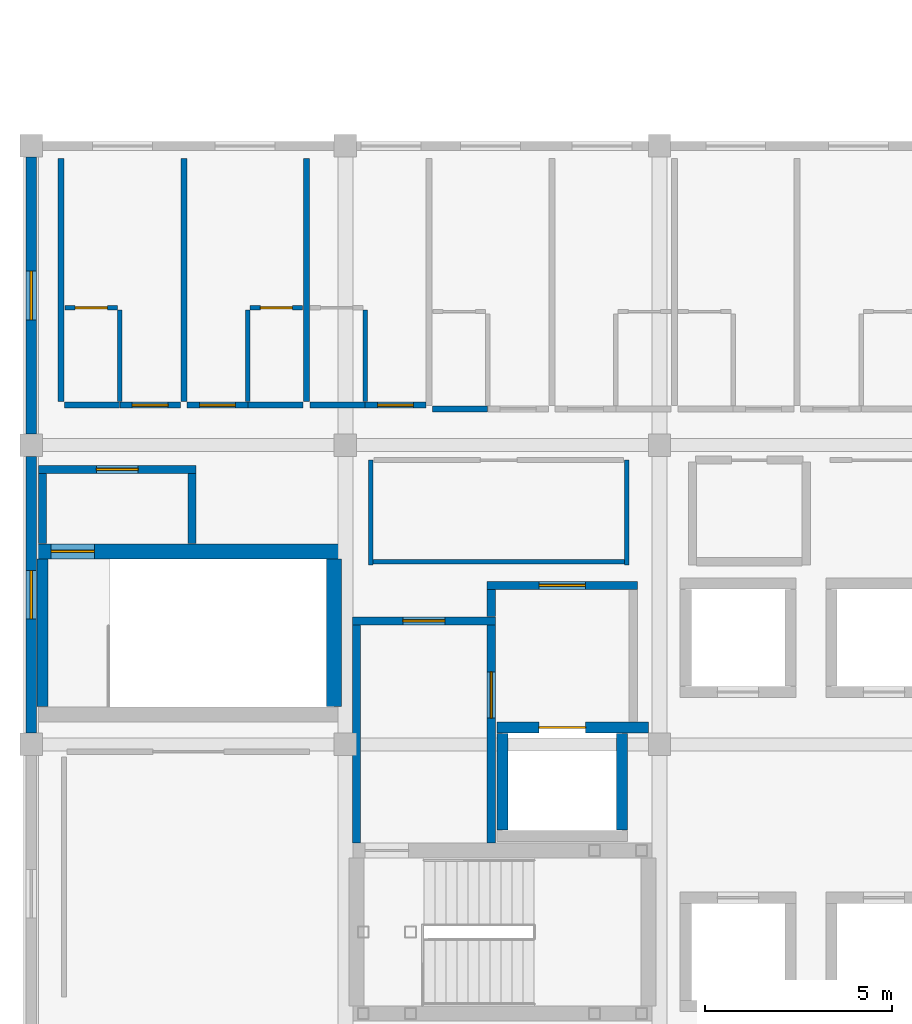
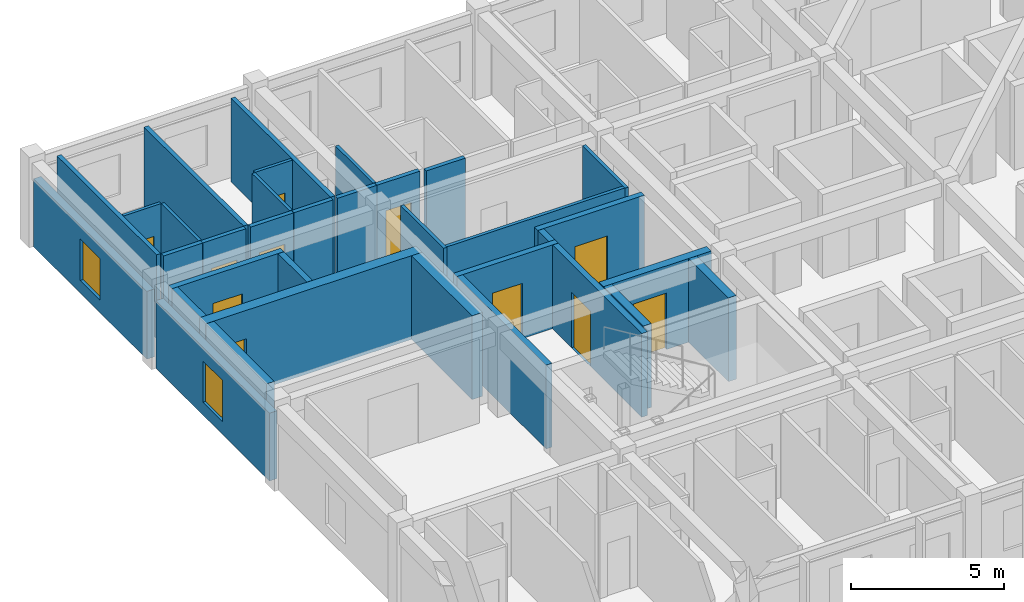
# One storey, part 6 of 14: 34 walls, 11 doors, 2 windows, 13 openings.
"""IFC4 building model written with IfcOpenShell, lengths in metres."""

from ifc_helpers import new_model, si_unit, direction, frame, frame_2d, origin, place, context, subcontext, project, spatial, rectangle, extrude, material, layer, layer_set, type_object, element, fill, save


model = new_model("IFC4")

# Units and contexts
model_context = context("Model", 3, precision=1e-05, world=origin(), true_north=direction((0.0, 1.0)))
body_context = subcontext(model_context, "Body", "Model", "MODEL_VIEW")
ifc_project = project(units=[si_unit("LENGTHUNIT", "METRE"), si_unit("AREAUNIT", "SQUARE_METRE"), si_unit("VOLUMEUNIT", "CUBIC_METRE"), si_unit("PLANEANGLEUNIT", "RADIAN"), si_unit("MASSUNIT", "GRAM", prefix="KILO")], contexts=[model_context])

# Site, building, storey
site_placement = place(None, origin())
site = spatial("IfcSite", under=ifc_project, at=site_placement, CompositionType="ELEMENT")
building_placement = place(site_placement, origin())
building = spatial("IfcBuilding", under=site, at=building_placement, Name="Naruveol Harbour Congress Hotel", CompositionType="ELEMENT")
storey_placement = place(building_placement, frame((0.0, 0.0, 39.60009765625)))
storey = spatial("IfcBuildingStorey", under=building, at=storey_placement, Name="L09", CompositionType="ELEMENT", Elevation=39.60009765625)

# Wall, opening, window
ifc_material_1 = material(Name="Precast concrete C40/50", Category="concrete")
ifc_layer_1 = layer(ifc_material_1, 0.280029296875)
ifc_layer_set_1 = layer_set([ifc_layer_1], Name="Precast concrete C40/50")
wall_type_1 = type_object("IfcWallType", Name="ARCHITECTURAL PRECAST FACADE WALL 280", PredefinedType="SOLIDWALL", material=ifc_layer_set_1)
wall_1_placement = place(storey_placement, frame((117.60009765625, 16.300048828125, 0.0), z_axis=(0.0, 0.0, 1.0), x_axis=(0.0, 1.0, 0.0)))
wall_1 = element("IfcWall", 1, at=wall_1_placement, inside=storey, type_object=wall_type_1, Name="Hotel west gable wall L09 EW-280", PredefinedType="SOLIDWALL", context=body_context, shape_type="SweptSolid", body=[
    extrude(rectangle(XDim=7.39990234375, YDim=0.280029296875, at=frame_2d((3.699951171875, 0.0))), origin(), (0.0, 0.0, 1.0), 2.699951171875),
])
opening_1_placement = place(wall_1_placement, frame((3.050048828125, 0.0, 0.5)))
opening_1 = element("IfcOpeningElement", 2, at=opening_1_placement, cuts=wall_1, Name="Opening W-27", PredefinedType="OPENING", context=body_context, shape_type="SweptSolid", body=[
    extrude(rectangle(XDim=1.300048828125, YDim=1.64990234375, at=frame_2d((0.64990234375, 0.824951171875))), frame((0.0, 0.14990234375, 0.0), z_axis=(0.0, -1.0, 0.0), x_axis=(1.0, 0.0, 0.0)), (0.0, 0.0, 1.0), 0.300048828125),
])
ifc_material_2 = material(Name="Low-E Triple Glazing in Thermal Aluminium", Category="aluminium")
window_type = type_object("IfcWindowType", Name="READING SALON TALL WINDOW 1300X1650", PartitioningType="SINGLE_PANEL", PredefinedType="WINDOW", material=ifc_material_2)
window_1_placement = place(opening_1_placement, origin())
window_1 = element("IfcWindow", 3, at=window_1_placement, inside=storey, type_object=window_type, Name="Window W-27 #477", OverallHeight=1.64990234375, OverallWidth=1.300048828125, PartitioningType="SINGLE_PANEL", PredefinedType="WINDOW", context=body_context, shape_type="SweptSolid", body=[
    extrude(rectangle(XDim=1.300048828125, YDim=1.64990234375, at=frame_2d((0.64990234375, 0.824951171875))), frame((0.0, 0.030029296875, 0.0), z_axis=(0.0, -1.0, 0.0), x_axis=(1.0, 0.0, 0.0)), (0.0, 0.0, 1.0), 0.06005859375),
])
fill(opening_1, window_1)

wall_2_placement = place(storey_placement, frame((117.60009765625, 24.300048828125, 0.0), z_axis=(0.0, 0.0, 1.0), x_axis=(0.0, 1.0, 0.0)))
wall_2 = element("IfcWall", 4, at=wall_2_placement, inside=storey, type_object=wall_type_1, Name="Hotel west gable wall L09 EW-280", PredefinedType="SOLIDWALL", context=body_context, shape_type="SweptSolid", body=[
    extrude(rectangle(XDim=7.39990234375, YDim=0.280029296875, at=frame_2d((3.699951171875, 0.0))), origin(), (0.0, 0.0, 1.0), 2.699951171875),
])
opening_2_placement = place(wall_2_placement, frame((3.050048828125, 0.0, 0.5)))
opening_2 = element("IfcOpeningElement", 5, at=opening_2_placement, cuts=wall_2, Name="Opening W-27", PredefinedType="OPENING", context=body_context, shape_type="SweptSolid", body=[
    extrude(rectangle(XDim=1.300048828125, YDim=1.64990234375, at=frame_2d((0.64990234375, 0.824951171875))), frame((0.0, 0.14990234375, 0.0), z_axis=(0.0, -1.0, 0.0), x_axis=(1.0, 0.0, 0.0)), (0.0, 0.0, 1.0), 0.300048828125),
])
window_2_placement = place(opening_2_placement, origin())
window_2 = element("IfcWindow", 6, at=window_2_placement, inside=storey, type_object=window_type, Name="Window W-27 #478", OverallHeight=1.64990234375, OverallWidth=1.300048828125, PartitioningType="SINGLE_PANEL", PredefinedType="WINDOW", context=body_context, shape_type="SweptSolid", body=[
    extrude(rectangle(XDim=1.300048828125, YDim=1.64990234375, at=frame_2d((0.64990234375, 0.824951171875))), frame((0.0, 0.030029296875, 0.0), z_axis=(0.0, -1.0, 0.0), x_axis=(1.0, 0.0, 0.0)), (0.0, 0.0, 1.0), 0.06005859375),
])
fill(opening_2, window_2)

# Wall
ifc_material_3 = material(Name="Moisture-Resistant Gypsum Partition", Category="gypsum")
ifc_layer_2 = layer(ifc_material_3, 0.114990234375)
ifc_layer_set_2 = layer_set([ifc_layer_2], Name="Moisture-Resistant Gypsum Partition")
wall_type_2 = type_object("IfcWallType", Name="BATHROOM MOISTURE PARTITION WALL 115", PredefinedType="PARTITIONING", material=ifc_layer_set_2)
wall_3_placement = place(storey_placement, frame((119.969970703125, 25.159912109375, 0.0), z_axis=(0.0, 0.0, 1.0), x_axis=(0.0, 1.0, 0.0)))
element("IfcWall", 7, at=wall_3_placement, inside=storey, type_object=wall_type_2, Name="Bathroom east wall 1066 PW-115", PredefinedType="PARTITIONING", context=body_context, shape_type="SweptSolid", body=[
    extrude(rectangle(XDim=2.4501953125, YDim=0.114990234375, at=frame_2d((1.22509765625, 0.0))), origin(), (0.0, 0.0, 1.0), 3.3349609375),
])

# Wall, opening, door
wall_4_placement = place(storey_placement, frame((118.5, 27.669921875, 0.0), z_axis=(0.0, 0.0, 1.0), x_axis=(1.0, 0.0, 0.0)))
wall_4 = element("IfcWall", 8, at=wall_4_placement, inside=storey, type_object=wall_type_2, Name="Bathroom north wall 1066 PW-115", PredefinedType="PARTITIONING", context=body_context, shape_type="SweptSolid", body=[
    extrude(rectangle(XDim=1.409912109375, YDim=0.114990234375, at=frame_2d((0.705078125, 0.0))), origin(), (0.0, 0.0, 1.0), 3.3349609375),
])
opening_3_placement = place(wall_4_placement, frame((0.27490234375, 0.0, 0.0)))
opening_3 = element("IfcOpeningElement", 9, at=opening_3_placement, cuts=wall_4, Name="Opening BD-RM1066", PredefinedType="OPENING", context=body_context, shape_type="SweptSolid", body=[
    extrude(rectangle(XDim=0.860107421875, YDim=2.1201171875, at=frame_2d((0.43017578125, 1.06005859375))), frame((0.0, 0.0673828125, 0.0), z_axis=(0.0, -1.0, 0.0), x_axis=(1.0, 0.0, 0.0)), (0.0, 0.0, 1.0), 0.135009765625),
])
ifc_material_4 = material(Name="Timber & Steel Acoustic Leaf", Category="steel")
door_type_1 = type_object("IfcDoorType", Name="GUEST BATHROOM DOOR 860X2120", OperationType="NOTDEFINED", PredefinedType="DOOR", material=ifc_material_4)
door_1_placement = place(opening_3_placement, origin())
door_1 = element("IfcDoor", 10, at=door_1_placement, inside=storey, type_object=door_type_1, Name="Bathroom Door 1066", OperationType="SINGLE_SWING_RIGHT", OverallHeight=2.1201171875, OverallWidth=0.860107421875, PredefinedType="DOOR", context=body_context, shape_type="SweptSolid", body=[
    extrude(rectangle(XDim=0.860107421875, YDim=2.1201171875, at=frame_2d((0.43017578125, 1.06005859375))), frame((0.0, 0.02490234375, 0.0), z_axis=(0.0, -1.0, 0.0), x_axis=(1.0, 0.0, 0.0)), (0.0, 0.0, 1.0), 0.050048828125),
])
fill(opening_3, door_1)

# Wall
wall_5_placement = place(storey_placement, frame((123.389892578125, 25.159912109375, 0.0), z_axis=(0.0, 0.0, 1.0), x_axis=(0.0, 1.0, 0.0)))
element("IfcWall", 11, at=wall_5_placement, inside=storey, type_object=wall_type_2, Name="Bathroom west wall 1067 PW-115", PredefinedType="PARTITIONING", context=body_context, shape_type="SweptSolid", body=[
    extrude(rectangle(XDim=2.4501953125, YDim=0.114990234375, at=frame_2d((1.22509765625, 0.0))), origin(), (0.0, 0.0, 1.0), 3.3349609375),
])

# Wall, opening, door
wall_6_placement = place(storey_placement, frame((123.449951171875, 27.669921875, 0.0), z_axis=(0.0, 0.0, 1.0), x_axis=(1.0, 0.0, 0.0)))
wall_6 = element("IfcWall", 12, at=wall_6_placement, inside=storey, type_object=wall_type_2, Name="Bathroom north wall 1067 PW-115", PredefinedType="PARTITIONING", context=body_context, shape_type="SweptSolid", body=[
    extrude(rectangle(XDim=1.41015625, YDim=0.114990234375, at=frame_2d((0.705078125, 0.0))), origin(), (0.0, 0.0, 1.0), 3.3349609375),
])
opening_4_placement = place(wall_6_placement, frame((0.27490234375, 0.0, 0.0)))
opening_4 = element("IfcOpeningElement", 13, at=opening_4_placement, cuts=wall_6, Name="Opening BD-RM1067", PredefinedType="OPENING", context=body_context, shape_type="SweptSolid", body=[
    extrude(rectangle(XDim=0.860107421875, YDim=2.1201171875, at=frame_2d((0.43017578125, 1.06005859375))), frame((0.0, 0.0673828125, 0.0), z_axis=(0.0, -1.0, 0.0), x_axis=(1.0, 0.0, 0.0)), (0.0, 0.0, 1.0), 0.135009765625),
])
door_2_placement = place(opening_4_placement, origin())
door_2 = element("IfcDoor", 14, at=door_2_placement, inside=storey, type_object=door_type_1, Name="Bathroom Door 1067", OperationType="SINGLE_SWING_RIGHT", OverallHeight=2.1201171875, OverallWidth=0.860107421875, PredefinedType="DOOR", context=body_context, shape_type="SweptSolid", body=[
    extrude(rectangle(XDim=0.860107421875, YDim=2.1201171875, at=frame_2d((0.43017578125, 1.06005859375))), frame((0.0, 0.02490234375, 0.0), z_axis=(0.0, -1.0, 0.0), x_axis=(1.0, 0.0, 0.0)), (0.0, 0.0, 1.0), 0.050048828125),
])
fill(opening_4, door_2)

# Walls
wall_7_placement = place(storey_placement, frame((126.530029296875, 25.159912109375, 0.0), z_axis=(0.0, 0.0, 1.0), x_axis=(0.0, 1.0, 0.0)))
element("IfcWall", 15, at=wall_7_placement, inside=storey, type_object=wall_type_2, Name="Bathroom east wall 1068 PW-115", PredefinedType="PARTITIONING", context=body_context, shape_type="SweptSolid", body=[
    extrude(rectangle(XDim=2.4501953125, YDim=0.114990234375, at=frame_2d((1.22509765625, 0.0))), origin(), (0.0, 0.0, 1.0), 3.3349609375),
])
ifc_material_5 = material(Name="Concrete C40/50", Category="concrete")
ifc_layer_3 = layer(ifc_material_5, 0.219970703125)
ifc_layer_set_3 = layer_set([ifc_layer_3], Name="Concrete C40/50")
wall_type_3 = type_object("IfcWallType", Name="FIRE COMPARTMENT AND LOBBY WALL 220 EI120", PredefinedType="PARTITIONING", material=ifc_layer_set_3)
wall_8_placement = place(storey_placement, frame((126.300048828125, 13.364990234375, 0.0), z_axis=(0.0, 0.0, 1.0), x_axis=(0.0, 1.0, 0.0)))
element("IfcWall", 16, at=wall_8_placement, inside=storey, type_object=wall_type_3, Name="Smoke vestibule ST1 west wall FW-220", PredefinedType="PARTITIONING", context=body_context, shape_type="SweptSolid", body=[
    extrude(rectangle(XDim=5.820068359375, YDim=0.219970703125, at=frame_2d((2.91015625, 0.0))), origin(), (0.0, 0.0, 1.0), 3.3349609375),
])

# Wall, opening, door
wall_9_placement = place(storey_placement, frame((126.18994140625, 19.300048828125, 0.0), z_axis=(0.0, 0.0, 1.0), x_axis=(1.0, 0.0, 0.0)))
wall_9 = element("IfcWall", 17, at=wall_9_placement, inside=storey, type_object=wall_type_3, Name="Smoke vestibule ST1 north wall FW-220", PredefinedType="PARTITIONING", context=body_context, shape_type="SweptSolid", body=[
    extrude(rectangle(XDim=3.820068359375, YDim=0.219970703125, at=frame_2d((1.91015625, 0.0))), origin(), (0.0, 0.0, 1.0), 3.3349609375),
])
opening_5_placement = place(wall_9_placement, frame((1.35009765625, 0.0, 0.0)))
opening_5 = element("IfcOpeningElement", 18, at=opening_5_placement, cuts=wall_9, Name="Opening FD-ST1-V-L09", PredefinedType="OPENING", context=body_context, shape_type="SweptSolid", body=[
    extrude(rectangle(XDim=1.1201171875, YDim=2.199951171875, at=frame_2d((0.56005859375, 1.10009765625))), frame((0.0, 0.119873046875, 0.0), z_axis=(0.0, -1.0, 0.0), x_axis=(1.0, 0.0, 0.0)), (0.0, 0.0, 1.0), 0.239990234375),
])
ifc_material_6 = material(Name="Timber & Steel Acoustic Leaf", Category="steel")
door_type_2 = type_object("IfcDoorType", Name="VESTIBULE SMOKE CONTROL FIRE DOOR 1120X2200", OperationType="NOTDEFINED", PredefinedType="DOOR", material=ifc_material_6)
door_3_placement = place(opening_5_placement, origin())
door_3 = element("IfcDoor", 19, at=door_3_placement, inside=storey, type_object=door_type_2, Name="Smoke Vestibule Entry Door ST1 L09", OperationType="SINGLE_SWING_LEFT", OverallHeight=2.199951171875, OverallWidth=1.1201171875, PredefinedType="DOOR", context=body_context, shape_type="SweptSolid", body=[
    extrude(rectangle(XDim=1.1201171875, YDim=2.199951171875, at=frame_2d((0.56005859375, 1.10009765625))), frame((0.0, 0.02490234375, 0.0), z_axis=(0.0, -1.0, 0.0), x_axis=(1.0, 0.0, 0.0)), (0.0, 0.0, 1.0), 0.050048828125),
])
fill(opening_5, door_3)

wall_10_placement = place(storey_placement, frame((129.89990234375, 13.364990234375, 0.0), z_axis=(0.0, 0.0, 1.0), x_axis=(0.0, 1.0, 0.0)))
wall_10 = element("IfcWall", 20, at=wall_10_placement, inside=storey, type_object=wall_type_3, Name="Smoke vestibule ST1 east wall FW-220", PredefinedType="PARTITIONING", context=body_context, shape_type="SweptSolid", body=[
    extrude(rectangle(XDim=5.820068359375, YDim=0.219970703125, at=frame_2d((2.91015625, 0.0))), origin(), (0.0, 0.0, 1.0), 3.3349609375),
])
opening_6_placement = place(wall_10_placement, frame((3.3349609375, 0.0, 0.0)))
opening_6 = element("IfcOpeningElement", 21, at=opening_6_placement, cuts=wall_10, Name="Opening FD-FFL-ST1-L09", PredefinedType="OPENING", context=body_context, shape_type="SweptSolid", body=[
    extrude(rectangle(XDim=1.239990234375, YDim=2.199951171875, at=frame_2d((0.6201171875, 1.10009765625))), frame((0.0, 0.119873046875, 0.0), z_axis=(0.0, -1.0, 0.0), x_axis=(1.0, 0.0, 0.0)), (0.0, 0.0, 1.0), 0.239990234375),
])
ifc_material_7 = material(Name="Timber & Steel Acoustic Leaf", Category="steel")
door_type_3 = type_object("IfcDoorType", Name="FIREFIGHTING LOBBY FIRE DOOR 1240X2200", OperationType="NOTDEFINED", PredefinedType="DOOR", material=ifc_material_7)
door_4_placement = place(opening_6_placement, origin())
door_4 = element("IfcDoor", 22, at=door_4_placement, inside=storey, type_object=door_type_3, Name="Firefighting Lobby Vestibule Door ST1 L09", OperationType="SINGLE_SWING_RIGHT", OverallHeight=2.199951171875, OverallWidth=1.239990234375, PredefinedType="DOOR", context=body_context, shape_type="SweptSolid", body=[
    extrude(rectangle(XDim=1.239990234375, YDim=2.199951171875, at=frame_2d((0.6201171875, 1.10009765625))), frame((0.0, 0.02490234375, 0.0), z_axis=(0.0, -1.0, 0.0), x_axis=(1.0, 0.0, 0.0)), (0.0, 0.0, 1.0), 0.050048828125),
])
fill(opening_6, door_4)

# Wall
wall_11_placement = place(storey_placement, frame((129.89990234375, 19.4150390625, 0.0), z_axis=(0.0, 0.0, 1.0), x_axis=(0.0, 1.0, 0.0)))
element("IfcWall", 23, at=wall_11_placement, inside=storey, type_object=wall_type_3, Name="Firefighting lift lobby ST1 upper west wall FW-220", PredefinedType="PARTITIONING", context=body_context, shape_type="SweptSolid", body=[
    extrude(rectangle(XDim=0.719970703125, YDim=0.219970703125, at=frame_2d((0.35986328125, 0.0))), origin(), (0.0, 0.0, 1.0), 3.3349609375),
])

# Wall, opening, door
wall_12_placement = place(storey_placement, frame((129.7900390625, 20.25, 0.0), z_axis=(0.0, 0.0, 1.0), x_axis=(1.0, 0.0, 0.0)))
wall_12 = element("IfcWall", 24, at=wall_12_placement, inside=storey, type_object=wall_type_3, Name="Firefighting lift lobby ST1 north wall FW-220", PredefinedType="PARTITIONING", context=body_context, shape_type="SweptSolid", body=[
    extrude(rectangle(XDim=4.02001953125, YDim=0.219970703125, at=frame_2d((2.010009765625, 0.0))), origin(), (0.0, 0.0, 1.0), 3.3349609375),
])
opening_7_placement = place(wall_12_placement, frame((1.389892578125, 0.0, 0.0)))
opening_7 = element("IfcOpeningElement", 25, at=opening_7_placement, cuts=wall_12, Name="Opening FD-FFC-ST1-L09", PredefinedType="OPENING", context=body_context, shape_type="SweptSolid", body=[
    extrude(rectangle(XDim=1.239990234375, YDim=2.199951171875, at=frame_2d((0.6201171875, 1.10009765625))), frame((0.0, 0.119873046875, 0.0), z_axis=(0.0, -1.0, 0.0), x_axis=(1.0, 0.0, 0.0)), (0.0, 0.0, 1.0), 0.239990234375),
])
door_5_placement = place(opening_7_placement, origin())
door_5 = element("IfcDoor", 26, at=door_5_placement, inside=storey, type_object=door_type_3, Name="Firefighting Lobby Corridor Door ST1 L09", OperationType="SINGLE_SWING_LEFT", OverallHeight=2.199951171875, OverallWidth=1.239990234375, PredefinedType="DOOR", context=body_context, shape_type="SweptSolid", body=[
    extrude(rectangle(XDim=1.239990234375, YDim=2.199951171875, at=frame_2d((0.6201171875, 1.10009765625))), frame((0.0, 0.02490234375, 0.0), z_axis=(0.0, -1.0, 0.0), x_axis=(1.0, 0.0, 0.0)), (0.0, 0.0, 1.0), 0.050048828125),
])
fill(opening_7, door_5)

# Wall
wall_13_placement = place(storey_placement, frame((117.89990234375, 21.364990234375, 0.0), z_axis=(0.0, 0.0, 1.0), x_axis=(0.0, 1.0, 0.0)))
element("IfcWall", 27, at=wall_13_placement, inside=storey, type_object=wall_type_3, Name="Smoke vestibule ST3 west wall FW-220", PredefinedType="PARTITIONING", context=body_context, shape_type="SweptSolid", body=[
    extrude(rectangle(XDim=1.8701171875, YDim=0.219970703125, at=frame_2d((0.93505859375, 0.0))), origin(), (0.0, 0.0, 1.0), 3.3349609375),
])

# Wall, opening, door
wall_14_placement = place(storey_placement, frame((117.7900390625, 23.35009765625, 0.0), z_axis=(0.0, 0.0, 1.0), x_axis=(1.0, 0.0, 0.0)))
wall_14 = element("IfcWall", 28, at=wall_14_placement, inside=storey, type_object=wall_type_3, Name="Smoke vestibule ST3 north wall FW-220", PredefinedType="PARTITIONING", context=body_context, shape_type="SweptSolid", body=[
    extrude(rectangle(XDim=4.219970703125, YDim=0.219970703125, at=frame_2d((2.10986328125, 0.0))), origin(), (0.0, 0.0, 1.0), 3.3349609375),
])
opening_8_placement = place(wall_14_placement, frame((1.550048828125, 0.0, 0.0)))
opening_8 = element("IfcOpeningElement", 29, at=opening_8_placement, cuts=wall_14, Name="Opening FD-ST3-V-L09", PredefinedType="OPENING", context=body_context, shape_type="SweptSolid", body=[
    extrude(rectangle(XDim=1.1201171875, YDim=2.199951171875, at=frame_2d((0.56005859375, 1.10009765625))), frame((0.0, 0.119873046875, 0.0), z_axis=(0.0, -1.0, 0.0), x_axis=(1.0, 0.0, 0.0)), (0.0, 0.0, 1.0), 0.239990234375),
])
door_6_placement = place(opening_8_placement, origin())
door_6 = element("IfcDoor", 30, at=door_6_placement, inside=storey, type_object=door_type_2, Name="Smoke Vestibule Entry Door ST3 L09", OperationType="SINGLE_SWING_LEFT", OverallHeight=2.199951171875, OverallWidth=1.1201171875, PredefinedType="DOOR", context=body_context, shape_type="SweptSolid", body=[
    extrude(rectangle(XDim=1.1201171875, YDim=2.199951171875, at=frame_2d((0.56005859375, 1.10009765625))), frame((0.0, 0.02490234375, 0.0), z_axis=(0.0, -1.0, 0.0), x_axis=(1.0, 0.0, 0.0)), (0.0, 0.0, 1.0), 0.050048828125),
])
fill(opening_8, door_6)

# Walls
wall_15_placement = place(storey_placement, frame((121.89990234375, 21.364990234375, 0.0), z_axis=(0.0, 0.0, 1.0), x_axis=(0.0, 1.0, 0.0)))
element("IfcWall", 31, at=wall_15_placement, inside=storey, type_object=wall_type_3, Name="Smoke vestibule ST3 east wall FW-220", PredefinedType="PARTITIONING", context=body_context, shape_type="SweptSolid", body=[
    extrude(rectangle(XDim=1.8701171875, YDim=0.219970703125, at=frame_2d((0.93505859375, 0.0))), origin(), (0.0, 0.0, 1.0), 3.3349609375),
])
ifc_material_8 = material(Name="Autoclaved Aerated Concrete Block", Category="concrete")
ifc_layer_4 = layer(ifc_material_8, 0.159912109375)
ifc_layer_set_4 = layer_set([ifc_layer_4], Name="Autoclaved Aerated Concrete Block")
wall_type_4 = type_object("IfcWallType", Name="HOTEL PARTY AND CORRIDOR WALL 160 EI60", PredefinedType="PARTITIONING", material=ifc_layer_set_4)
wall_16_placement = place(storey_placement, frame((118.489990234375, 25.070068359375, 0.0), z_axis=(0.0, 0.0, 1.0), x_axis=(1.0, 0.0, 0.0)))
element("IfcWall", 32, at=wall_16_placement, inside=storey, type_object=wall_type_4, Name="Corridor wall 1066B PW-160", PredefinedType="PARTITIONING", context=body_context, shape_type="SweptSolid", body=[
    extrude(rectangle(XDim=1.469970703125, YDim=0.159912109375, at=frame_2d((0.73486328125, 0.0))), origin(), (0.0, 0.0, 1.0), 3.3349609375),
])

# Wall, opening, door
wall_17_placement = place(storey_placement, frame((119.969970703125, 25.070068359375, 0.0), z_axis=(0.0, 0.0, 1.0), x_axis=(1.0, 0.0, 0.0)))
wall_17 = element("IfcWall", 33, at=wall_17_placement, inside=storey, type_object=wall_type_4, Name="Corridor entry wall 1066 PW-160", PredefinedType="PARTITIONING", context=body_context, shape_type="SweptSolid", body=[
    extrude(rectangle(XDim=1.6201171875, YDim=0.159912109375, at=frame_2d((0.81005859375, 0.0))), origin(), (0.0, 0.0, 1.0), 3.3349609375),
])
opening_9_placement = place(wall_17_placement, frame((0.330078125, 0.0, 0.0)))
opening_9 = element("IfcOpeningElement", 34, at=opening_9_placement, cuts=wall_17, Name="Opening FD-RM1066", PredefinedType="OPENING", context=body_context, shape_type="SweptSolid", body=[
    extrude(rectangle(XDim=0.9599609375, YDim=2.199951171875, at=frame_2d((0.47998046875, 1.10009765625))), frame((0.0, 0.08984375, 0.0), z_axis=(0.0, -1.0, 0.0), x_axis=(1.0, 0.0, 0.0)), (0.0, 0.0, 1.0), 0.179931640625),
])
ifc_material_9 = material(Name="Timber & Steel Acoustic Leaf", Category="steel")
door_type_4 = type_object("IfcDoorType", Name="GUEST ROOM ENTRANCE FIRE DOOR 960X2200", OperationType="NOTDEFINED", PredefinedType="DOOR", material=ifc_material_9)
door_7_placement = place(opening_9_placement, origin())
door_7 = element("IfcDoor", 35, at=door_7_placement, inside=storey, type_object=door_type_4, Name="Hotel Room Door 1066", OperationType="SINGLE_SWING_LEFT", OverallHeight=2.199951171875, OverallWidth=0.9599609375, PredefinedType="DOOR", context=body_context, shape_type="SweptSolid", body=[
    extrude(rectangle(XDim=0.9599609375, YDim=2.199951171875, at=frame_2d((0.47998046875, 1.10009765625))), frame((0.0, 0.02490234375, 0.0), z_axis=(0.0, -1.0, 0.0), x_axis=(1.0, 0.0, 0.0)), (0.0, 0.0, 1.0), 0.050048828125),
])
fill(opening_9, door_7)

# Wall
wall_18_placement = place(storey_placement, frame((118.39990234375, 25.159912109375, 0.0), z_axis=(0.0, 0.0, 1.0), x_axis=(0.0, 1.0, 0.0)))
element("IfcWall", 36, at=wall_18_placement, inside=storey, type_object=wall_type_4, Name="Hotel party wall 1066 PW-160", PredefinedType="PARTITIONING", context=body_context, shape_type="SweptSolid", body=[
    extrude(rectangle(XDim=6.5, YDim=0.159912109375, at=frame_2d((3.25, 0.0))), origin(), (0.0, 0.0, 1.0), 3.3349609375),
])

# Wall, opening, door
wall_19_placement = place(storey_placement, frame((121.77001953125, 25.070068359375, 0.0), z_axis=(0.0, 0.0, 1.0), x_axis=(1.0, 0.0, 0.0)))
wall_19 = element("IfcWall", 37, at=wall_19_placement, inside=storey, type_object=wall_type_4, Name="Corridor entry wall 1067 PW-160", PredefinedType="PARTITIONING", context=body_context, shape_type="SweptSolid", body=[
    extrude(rectangle(XDim=1.619873046875, YDim=0.159912109375, at=frame_2d((0.81005859375, 0.0))), origin(), (0.0, 0.0, 1.0), 3.3349609375),
])
opening_10_placement = place(wall_19_placement, frame((0.330078125, 0.0, 0.0)))
opening_10 = element("IfcOpeningElement", 38, at=opening_10_placement, cuts=wall_19, Name="Opening FD-RM1067", PredefinedType="OPENING", context=body_context, shape_type="SweptSolid", body=[
    extrude(rectangle(XDim=0.9599609375, YDim=2.199951171875, at=frame_2d((0.47998046875, 1.10009765625))), frame((0.0, 0.08984375, 0.0), z_axis=(0.0, -1.0, 0.0), x_axis=(1.0, 0.0, 0.0)), (0.0, 0.0, 1.0), 0.179931640625),
])
door_8_placement = place(opening_10_placement, origin())
door_8 = element("IfcDoor", 39, at=door_8_placement, inside=storey, type_object=door_type_4, Name="Hotel Room Door 1067", OperationType="SINGLE_SWING_LEFT", OverallHeight=2.199951171875, OverallWidth=0.9599609375, PredefinedType="DOOR", context=body_context, shape_type="SweptSolid", body=[
    extrude(rectangle(XDim=0.9599609375, YDim=2.199951171875, at=frame_2d((0.47998046875, 1.10009765625))), frame((0.0, 0.02490234375, 0.0), z_axis=(0.0, -1.0, 0.0), x_axis=(1.0, 0.0, 0.0)), (0.0, 0.0, 1.0), 0.050048828125),
])
fill(opening_10, door_8)

# Walls
wall_20_placement = place(storey_placement, frame((123.39990234375, 25.070068359375, 0.0), z_axis=(0.0, 0.0, 1.0), x_axis=(1.0, 0.0, 0.0)))
element("IfcWall", 40, at=wall_20_placement, inside=storey, type_object=wall_type_4, Name="Corridor wall 1067B PW-160", PredefinedType="PARTITIONING", context=body_context, shape_type="SweptSolid", body=[
    extrude(rectangle(XDim=1.47021484375, YDim=0.159912109375, at=frame_2d((0.735107421875, 0.0))), origin(), (0.0, 0.0, 1.0), 3.3349609375),
])
wall_21_placement = place(storey_placement, frame((121.679931640625, 25.159912109375, 0.0), z_axis=(0.0, 0.0, 1.0), x_axis=(0.0, 1.0, 0.0)))
element("IfcWall", 41, at=wall_21_placement, inside=storey, type_object=wall_type_4, Name="Hotel party wall 1067 PW-160", PredefinedType="PARTITIONING", context=body_context, shape_type="SweptSolid", body=[
    extrude(rectangle(XDim=6.5, YDim=0.159912109375, at=frame_2d((3.25, 0.0))), origin(), (0.0, 0.0, 1.0), 3.3349609375),
])
wall_22_placement = place(storey_placement, frame((125.050048828125, 25.070068359375, 0.0), z_axis=(0.0, 0.0, 1.0), x_axis=(1.0, 0.0, 0.0)))
element("IfcWall", 42, at=wall_22_placement, inside=storey, type_object=wall_type_4, Name="Corridor wall 1068B PW-160", PredefinedType="PARTITIONING", context=body_context, shape_type="SweptSolid", body=[
    extrude(rectangle(XDim=1.469970703125, YDim=0.159912109375, at=frame_2d((0.73486328125, 0.0))), origin(), (0.0, 0.0, 1.0), 3.3349609375),
])

# Wall, opening, door
wall_23_placement = place(storey_placement, frame((126.530029296875, 25.070068359375, 0.0), z_axis=(0.0, 0.0, 1.0), x_axis=(1.0, 0.0, 0.0)))
wall_23 = element("IfcWall", 43, at=wall_23_placement, inside=storey, type_object=wall_type_4, Name="Corridor entry wall 1068 PW-160", PredefinedType="PARTITIONING", context=body_context, shape_type="SweptSolid", body=[
    extrude(rectangle(XDim=1.619873046875, YDim=0.159912109375, at=frame_2d((0.81005859375, 0.0))), origin(), (0.0, 0.0, 1.0), 3.3349609375),
])
opening_11_placement = place(wall_23_placement, frame((0.330078125, 0.0, 0.0)))
opening_11 = element("IfcOpeningElement", 44, at=opening_11_placement, cuts=wall_23, Name="Opening FD-RM1068", PredefinedType="OPENING", context=body_context, shape_type="SweptSolid", body=[
    extrude(rectangle(XDim=0.9599609375, YDim=2.199951171875, at=frame_2d((0.47998046875, 1.10009765625))), frame((0.0, 0.08984375, 0.0), z_axis=(0.0, -1.0, 0.0), x_axis=(1.0, 0.0, 0.0)), (0.0, 0.0, 1.0), 0.179931640625),
])
door_9_placement = place(opening_11_placement, origin())
door_9 = element("IfcDoor", 45, at=door_9_placement, inside=storey, type_object=door_type_4, Name="Hotel Room Door 1068", OperationType="SINGLE_SWING_LEFT", OverallHeight=2.199951171875, OverallWidth=0.9599609375, PredefinedType="DOOR", context=body_context, shape_type="SweptSolid", body=[
    extrude(rectangle(XDim=0.9599609375, YDim=2.199951171875, at=frame_2d((0.47998046875, 1.10009765625))), frame((0.0, 0.02490234375, 0.0), z_axis=(0.0, -1.0, 0.0), x_axis=(1.0, 0.0, 0.0)), (0.0, 0.0, 1.0), 0.050048828125),
])
fill(opening_11, door_9)

# Walls
wall_24_placement = place(storey_placement, frame((124.9599609375, 25.159912109375, 0.0), z_axis=(0.0, 0.0, 1.0), x_axis=(0.0, 1.0, 0.0)))
element("IfcWall", 46, at=wall_24_placement, inside=storey, type_object=wall_type_4, Name="Hotel party wall 1068 PW-160", PredefinedType="PARTITIONING", context=body_context, shape_type="SweptSolid", body=[
    extrude(rectangle(XDim=6.5, YDim=0.159912109375, at=frame_2d((3.25, 0.0))), origin(), (0.0, 0.0, 1.0), 3.3349609375),
])
wall_25_placement = place(storey_placement, frame((128.330078125, 24.969970703125, 0.0), z_axis=(0.0, 0.0, 1.0), x_axis=(1.0, 0.0, 0.0)))
element("IfcWall", 47, at=wall_25_placement, inside=storey, type_object=wall_type_4, Name="Corridor wall 1069B PW-160", PredefinedType="PARTITIONING", context=body_context, shape_type="SweptSolid", body=[
    extrude(rectangle(XDim=1.469970703125, YDim=0.159912109375, at=frame_2d((0.73486328125, 0.0))), origin(), (0.0, 0.0, 1.0), 3.3349609375),
])
ifc_material_10 = material(Name="Concrete C50/60", Category="concrete")
ifc_layer_5 = layer(ifc_material_10, 0.39990234375)
ifc_layer_set_5 = layer_set([ifc_layer_5], Name="Concrete C50/60")
wall_type_5 = type_object("IfcWallType", Name="RC CORE SHEAR WALL 400 EI120", PredefinedType="SHEAR", material=ifc_layer_set_5)
wall_26_placement = place(storey_placement, frame((125.699951171875, 17.0048828125, 0.0), z_axis=(0.0, 0.0, 1.0), x_axis=(0.0, 1.0, 0.0)))
element("IfcWall", 48, at=wall_26_placement, inside=storey, type_object=wall_type_5, Name="Stair ST3 east core wall CW-400", PredefinedType="SHEAR", context=body_context, shape_type="SweptSolid", body=[
    extrude(rectangle(XDim=3.9501953125, YDim=0.39990234375, at=frame_2d((1.97509765625, 0.0))), origin(), (0.0, 0.0, 1.0), 3.3349609375),
])

# Wall, opening, door
wall_27_placement = place(storey_placement, frame((117.75, 21.159912109375, 0.0), z_axis=(0.0, 0.0, 1.0), x_axis=(1.0, 0.0, 0.0)))
wall_27 = element("IfcWall", 49, at=wall_27_placement, inside=storey, type_object=wall_type_5, Name="Stair ST3 north core wall CW-400", PredefinedType="SHEAR", context=body_context, shape_type="SweptSolid", body=[
    extrude(rectangle(XDim=8.14990234375, YDim=0.39990234375, at=frame_2d((4.074951171875, 0.0))), origin(), (0.0, 0.0, 1.0), 3.3349609375),
])
opening_12_placement = place(wall_27_placement, frame((0.3798828125, 0.0, 0.0)))
opening_12 = element("IfcOpeningElement", 50, at=opening_12_placement, cuts=wall_27, Name="Opening FD-ST3-S-L09", PredefinedType="OPENING", context=body_context, shape_type="SweptSolid", body=[
    extrude(rectangle(XDim=1.159912109375, YDim=2.199951171875, at=frame_2d((0.580078125, 1.10009765625))), frame((0.0, 0.2099609375, 0.0), z_axis=(0.0, -1.0, 0.0), x_axis=(1.0, 0.0, 0.0)), (0.0, 0.0, 1.0), 0.419921875),
])
ifc_material_11 = material(Name="Timber & Steel Acoustic Leaf", Category="steel")
door_type_5 = type_object("IfcDoorType", Name="SPECIAL ESCAPE STAIR FIRE DOOR 1160X2200", OperationType="NOTDEFINED", PredefinedType="DOOR", material=ifc_material_11)
door_10_placement = place(opening_12_placement, origin())
door_10 = element("IfcDoor", 51, at=door_10_placement, inside=storey, type_object=door_type_5, Name="Special Escape Stair Door ST3 L09", OperationType="SINGLE_SWING_RIGHT", OverallHeight=2.199951171875, OverallWidth=1.159912109375, PredefinedType="DOOR", context=body_context, shape_type="SweptSolid", body=[
    extrude(rectangle(XDim=1.159912109375, YDim=2.199951171875, at=frame_2d((0.580078125, 1.10009765625))), frame((0.0, 0.02490234375, 0.0), z_axis=(0.0, -1.0, 0.0), x_axis=(1.0, 0.0, 0.0)), (0.0, 0.0, 1.0), 0.050048828125),
])
fill(opening_12, door_10)

# Wall
ifc_material_12 = material(Name="Concrete C50/60", Category="concrete")
ifc_layer_6 = layer(ifc_material_12, 0.300048828125)
ifc_layer_set_6 = layer_set([ifc_layer_6], Name="Concrete C50/60")
wall_type_6 = type_object("IfcWallType", Name="RC STAIR AND HOISTWAY SHEAR WALL 300 EI120", PredefinedType="SHEAR", material=ifc_layer_set_6)
wall_28_placement = place(storey_placement, frame((133.39990234375, 13.705078125, 0.0), z_axis=(0.0, 0.0, 1.0), x_axis=(0.0, 1.0, 0.0)))
element("IfcWall", 52, at=wall_28_placement, inside=storey, type_object=wall_type_6, Name="Hoistway east shear wall FL1 SW-300", PredefinedType="SHEAR", context=body_context, shape_type="SweptSolid", body=[
    extrude(rectangle(XDim=2.58984375, YDim=0.300048828125, at=frame_2d((1.294921875, 0.0))), origin(), (0.0, 0.0, 1.0), 3.3349609375),
])

# Wall, opening, door
wall_29_placement = place(storey_placement, frame((134.110107421875, 16.449951171875, 0.0), z_axis=(0.0, 0.0, 1.0), x_axis=(-1.0, 0.0, 0.0)))
wall_29 = element("IfcWall", 53, at=wall_29_placement, inside=storey, type_object=wall_type_6, Name="Hoistway north shear wall FL1 SW-300", PredefinedType="SHEAR", context=body_context, shape_type="SweptSolid", body=[
    extrude(rectangle(XDim=4.06005859375, YDim=0.300048828125, at=frame_2d((2.030029296875, 0.0))), origin(), (0.0, 0.0, 1.0), 3.3349609375),
])
opening_13_placement = place(wall_29_placement, frame((1.68505859375, 0.0, 0.0)))
opening_13 = element("IfcOpeningElement", 54, at=opening_13_placement, cuts=wall_29, Name="Opening LD-FL1-L09", PredefinedType="OPENING", context=body_context, shape_type="SweptSolid", body=[
    extrude(rectangle(XDim=1.25, YDim=2.25, at=frame_2d((0.625, 1.125))), frame((0.0, 0.159912109375, 0.0), z_axis=(0.0, -1.0, 0.0), x_axis=(1.0, 0.0, 0.0)), (0.0, 0.0, 1.0), 0.320068359375),
])
ifc_material_13 = material(Name="Stainless Steel Lift Door", Category="steel")
door_type_6 = type_object("IfcDoorType", Name="FIREFIGHTING LIFT LANDING DOOR 1250X2250", OperationType="DOUBLE_DOOR_SLIDING", PredefinedType="DOOR", material=ifc_material_13)
door_11_placement = place(opening_13_placement, origin())
door_11 = element("IfcDoor", 55, at=door_11_placement, inside=storey, type_object=door_type_6, Name="Elevator Landing Door FL1 L09", OperationType="DOUBLE_DOOR_SLIDING", OverallHeight=2.25, OverallWidth=1.25, PredefinedType="DOOR", context=body_context, shape_type="SweptSolid", body=[
    extrude(rectangle(XDim=1.25, YDim=2.25, at=frame_2d((0.625, 1.125))), frame((0.0, 0.02490234375, 0.0), z_axis=(0.0, -1.0, 0.0), x_axis=(1.0, 0.0, 0.0)), (0.0, 0.0, 1.0), 0.050048828125),
])
fill(opening_13, door_11)

# Walls
wall_30_placement = place(storey_placement, frame((130.199951171875, 16.294921875, 0.0), z_axis=(0.0, 0.0, 1.0), x_axis=(0.0, -1.0, 0.0)))
element("IfcWall", 56, at=wall_30_placement, inside=storey, type_object=wall_type_6, Name="Hoistway west shear wall FL1 SW-300", PredefinedType="SHEAR", context=body_context, shape_type="SweptSolid", body=[
    extrude(rectangle(XDim=2.58984375, YDim=0.300048828125, at=frame_2d((1.294921875, 0.0))), origin(), (0.0, 0.0, 1.0), 3.3349609375),
])
wall_31_placement = place(storey_placement, frame((117.89990234375, 17.0048828125, 0.0), z_axis=(0.0, 0.0, 1.0), x_axis=(0.0, 1.0, 0.0)))
element("IfcWall", 57, at=wall_31_placement, inside=storey, type_object=wall_type_6, Name="Stair ST3 west core wall SW-300", PredefinedType="SHEAR", context=body_context, shape_type="SweptSolid", body=[
    extrude(rectangle(XDim=3.9501953125, YDim=0.300048828125, at=frame_2d((1.97509765625, 0.0))), origin(), (0.0, 0.0, 1.0), 3.3349609375),
])
ifc_material_14 = material(Name="Acoustic Double Stud Gypsum", Category="gypsum")
ifc_layer_7 = layer(ifc_material_14, 0.125)
ifc_layer_set_7 = layer_set([ifc_layer_7], Name="Acoustic Double Stud Gypsum")
wall_type_7 = type_object("IfcWallType", Name="SERVICE CHASE PARTITION WALL 125", PredefinedType="PARTITIONING", material=ifc_layer_set_7)
for number, where, z_axis, x_axis, name in (
    (58, (126.679931640625, 20.800048828125, 0.0), (0.0, 0.0, 1.0), (0.0, 1.0, 0.0), "Accessible Restroom west enclosure partition PW-125"),
    (59, (133.52001953125, 20.800048828125, 0.0), (0.0, 0.0, 1.0), (0.0, 1.0, 0.0), "Accessible Restroom east enclosure partition PW-125"),
):
    element("IfcWall", number, at=place(storey_placement, frame(where, z_axis=z_axis, x_axis=x_axis)), inside=storey, type_object=wall_type_7, Name=name, PredefinedType="PARTITIONING", context=body_context, shape_type="SweptSolid", body=[
        extrude(rectangle(XDim=2.7958984375, YDim=0.125, at=frame_2d((1.39794921875, 0.0))), origin(), (0.0, 0.0, 1.0), 3.3349609375),
    ])
wall_32_placement = place(storey_placement, frame((126.741943359375, 20.8798828125, 0.0), z_axis=(0.0, 0.0, 1.0), x_axis=(1.0, 0.0, 0.0)))
element("IfcWall", 60, at=wall_32_placement, inside=storey, type_object=wall_type_7, Name="Accessible Restroom south enclosure partition PW-125", PredefinedType="PARTITIONING", context=body_context, shape_type="SweptSolid", body=[
    extrude(rectangle(XDim=6.715087890625, YDim=0.125, at=frame_2d((3.357421875, 0.0))), origin(), (0.0, 0.0, 1.0), 3.3349609375),
])

save(model, "model.ifc")
